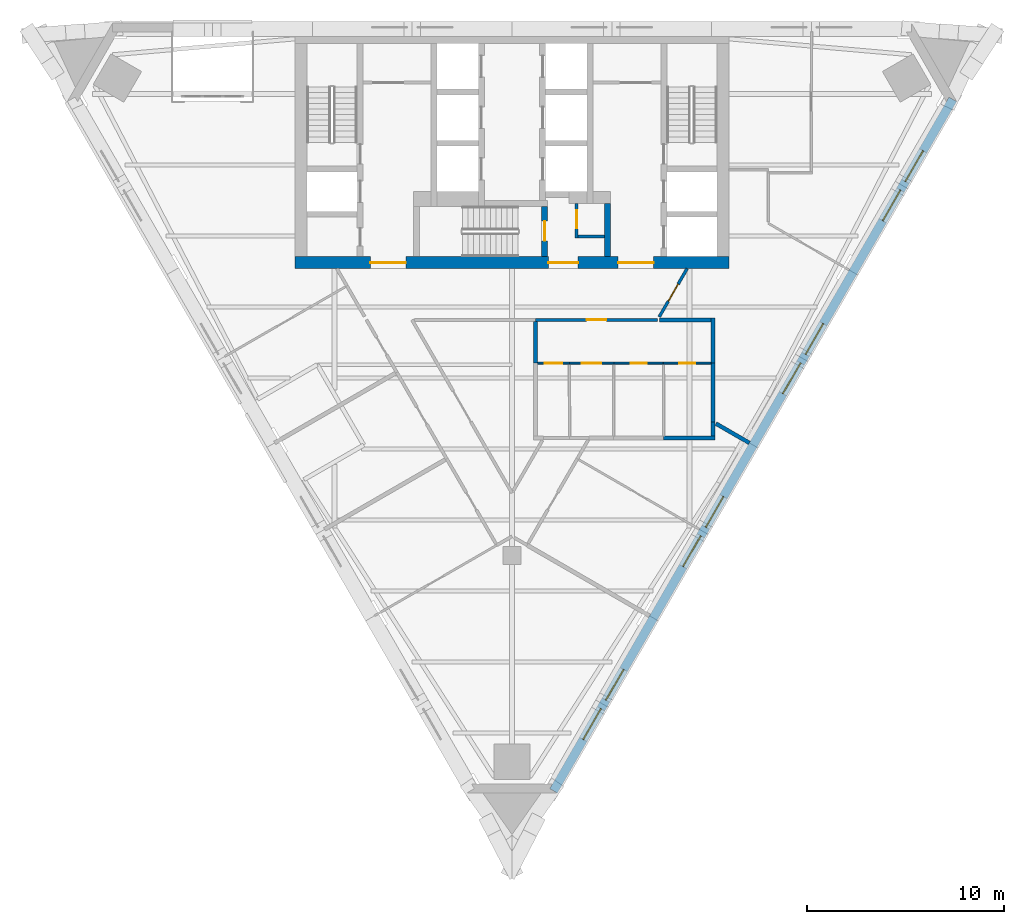
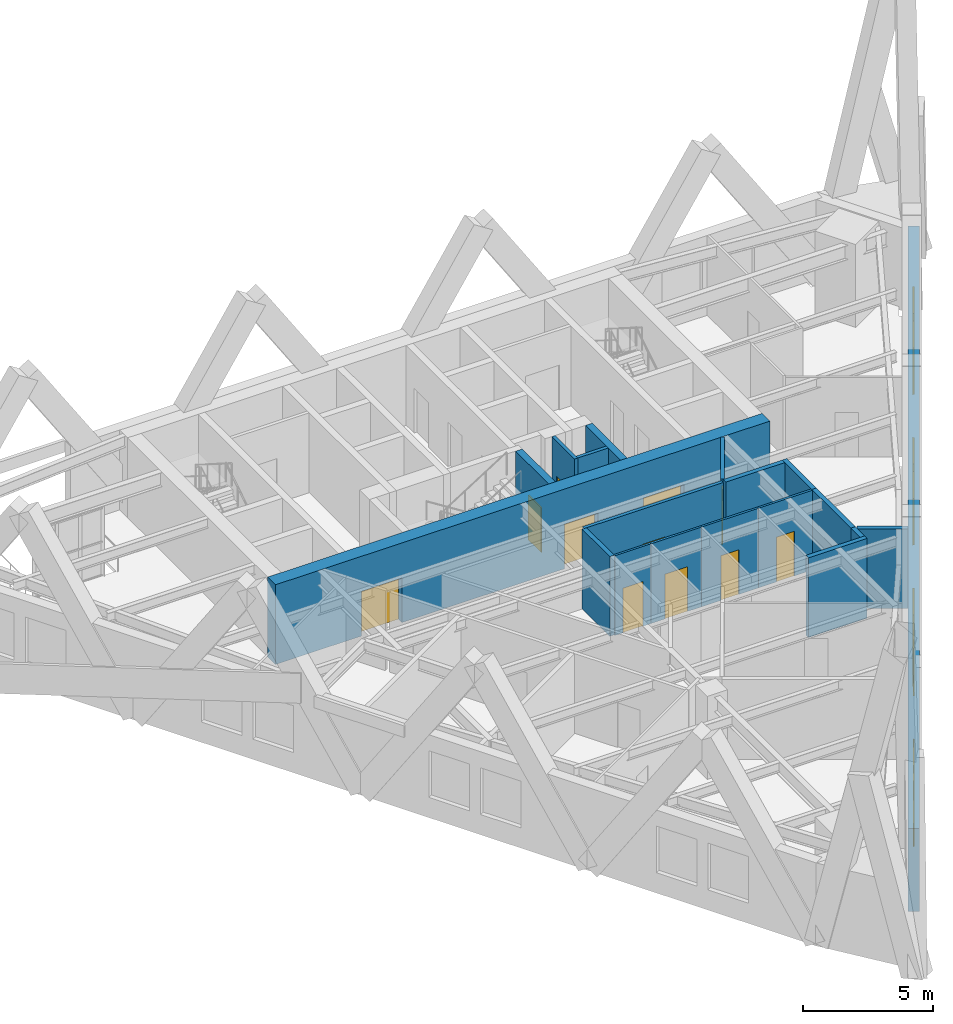
# One storey, part 5 of 9: 19 walls, 11 doors, 8 windows, 19 openings.
"""IFC4 building model written with IfcOpenShell, lengths in metres."""

from ifc_helpers import new_model, si_unit, direction, frame, frame_2d, origin, place, context, subcontext, project, spatial, polyline, rectangle, outline, extrude, material, layer, layer_set, type_object, element, fill, save


model = new_model("IFC4")

# Units and contexts
model_context = context("Model", 3, precision=1e-05, world=origin(), true_north=direction((0.0, 1.0)))
body_context = subcontext(model_context, "Body", "Model", "MODEL_VIEW")
ifc_project = project(units=[si_unit("LENGTHUNIT", "METRE"), si_unit("AREAUNIT", "SQUARE_METRE"), si_unit("VOLUMEUNIT", "CUBIC_METRE"), si_unit("PLANEANGLEUNIT", "RADIAN"), si_unit("MASSUNIT", "GRAM", prefix="KILO")], contexts=[model_context])

# Site, building, storey
site_placement = place(None, origin())
site = spatial("IfcSite", under=ifc_project, at=site_placement, CompositionType="ELEMENT")
building_placement = place(site_placement, origin())
building = spatial("IfcBuilding", under=site, at=building_placement, Name="Aloe Facet Convention Tower", CompositionType="ELEMENT")
storey_placement = place(building_placement, frame((0.0, 0.0, 144.199951171875)))
storey = spatial("IfcBuildingStorey", under=building, at=storey_placement, Name="L36", CompositionType="ELEMENT", Elevation=144.199951171875)

# Wall, opening, door
ifc_material_1 = material(Name="Concrete blockwork partition", Category="masonry")
ifc_layer_1 = layer(ifc_material_1, 0.14990234375)
ifc_layer_set_1 = layer_set([ifc_layer_1], Name="CR-W-PART150")
wall_type_1 = type_object("IfcWallType", Name="CR-W-PART150", PredefinedType="PARTITIONING", material=ifc_layer_set_1)
wall_1_placement = place(storey_placement, frame((83.27490234375, 125.85009765625, 0.0), z_axis=(0.0, 0.0, 1.0), x_axis=(0.0, -1.0, 0.0)))
wall_1 = element("IfcWall", 1, at=wall_1_placement, inside=storey, type_object=wall_type_1, Name="Core partition L36-022", PredefinedType="PARTITIONING", context=body_context, shape_type="SweptSolid", body=[
    extrude(rectangle(XDim=1.75, YDim=0.14990234375, at=frame_2d((0.875, 0.0))), origin(), (0.0, 0.0, 1.0), 3.75),
])
opening_1_placement = place(wall_1_placement, frame((0.35009765625, 0.0, 0.0)))
opening_1 = element("IfcOpeningElement", 2, at=opening_1_placement, cuts=wall_1, Name="Opening L36-CD12", PredefinedType="OPENING", context=body_context, shape_type="SweptSolid", body=[
    extrude(rectangle(XDim=0.89990234375, YDim=2.10009765625, at=frame_2d((0.449951171875, 1.050048828125))), frame((0.0, 0.0849609375, 0.0), z_axis=(0.0, -1.0, 0.0), x_axis=(1.0, 0.0, 0.0)), (0.0, 0.0, 1.0), 0.169921875),
])
ifc_material_2 = material(Name="Steel fire-resisting door set FD60", Category="steel")
door_type_1 = type_object("IfcDoorType", Name="CR-D-REFUGE-900-FD60-SRIGHT", OperationType="SINGLE_SWING_RIGHT", PredefinedType="DOOR", material=ifc_material_2)
door_1_placement = place(opening_1_placement, origin())
door_1 = element("IfcDoor", 3, at=door_1_placement, inside=storey, type_object=door_type_1, Name="Core door L36-CD12", OperationType="SINGLE_SWING_RIGHT", OverallHeight=2.10009765625, OverallWidth=0.89990234375, PredefinedType="DOOR", context=body_context, shape_type="SweptSolid", body=[
    extrude(rectangle(XDim=0.89990234375, YDim=2.10009765625, at=frame_2d((0.449951171875, 1.050048828125))), frame((0.0, 0.02490234375, 0.0), z_axis=(0.0, -1.0, 0.0), x_axis=(1.0, 0.0, 0.0)), (0.0, 0.0, 1.0), 0.050048828125),
])
fill(opening_1, door_1)

# Wall
wall_2_placement = place(storey_placement, frame((83.35009765625, 124.175048828125, 0.0), z_axis=(0.0, 0.0, 1.0), x_axis=(1.0, 0.0, 0.0)))
element("IfcWall", 4, at=wall_2_placement, inside=storey, type_object=wall_type_1, Name="Core partition L36-023", PredefinedType="PARTITIONING", context=body_context, shape_type="SweptSolid", body=[
    extrude(rectangle(XDim=1.349853515625, YDim=0.14990234375, at=frame_2d((0.6748046875, 0.0))), origin(), (0.0, 0.0, 1.0), 3.75),
])

# Wall, opening, door
ifc_material_3 = material(Name="Concrete C60/75", Category="concrete")
ifc_layer_2 = layer(ifc_material_3, 0.300048828125)
ifc_layer_set_2 = layer_set([ifc_layer_2], Name="CR-W-RC300-C6075")
wall_type_2 = type_object("IfcWallType", Name="CR-W-RC300-C6075", PredefinedType="SOLIDWALL", material=ifc_layer_set_2)
wall_3_placement = place(storey_placement, frame((81.64990234375, 125.699951171875, 0.0), z_axis=(0.0, 0.0, 1.0), x_axis=(0.0, -1.0, 0.0)))
wall_3 = element("IfcWall", 5, at=wall_3_placement, inside=storey, type_object=wall_type_2, Name="Core wall L36-017", PredefinedType="SOLIDWALL", context=body_context, shape_type="SweptSolid", body=[
    extrude(rectangle(XDim=2.550048828125, YDim=0.300048828125, at=frame_2d((1.27490234375, 0.0))), origin(), (0.0, 0.0, 1.0), 3.75),
])
opening_2_placement = place(wall_3_placement, frame((0.75, 0.0, 0.0)))
opening_2 = element("IfcOpeningElement", 6, at=opening_2_placement, cuts=wall_3, Name="Opening L36-CD18", PredefinedType="OPENING", context=body_context, shape_type="SweptSolid", body=[
    extrude(rectangle(XDim=1.0, YDim=2.10009765625, at=frame_2d((0.5, 1.050048828125))), frame((0.0, 0.16015625, 0.0), z_axis=(0.0, -1.0, 0.0), x_axis=(1.0, 0.0, 0.0)), (0.0, 0.0, 1.0), 0.320068359375),
])
ifc_material_4 = material(Name="Steel fire-resisting door set FD120", Category="steel")
door_type_2 = type_object("IfcDoorType", Name="CR-D-STAIR-1000-FD120-SLEFT", OperationType="SINGLE_SWING_LEFT", PredefinedType="DOOR", material=ifc_material_4)
door_2_placement = place(opening_2_placement, origin())
door_2 = element("IfcDoor", 7, at=door_2_placement, inside=storey, type_object=door_type_2, Name="Core door L36-CD18", OperationType="SINGLE_SWING_LEFT", OverallHeight=2.10009765625, OverallWidth=1.0, PredefinedType="DOOR", context=body_context, shape_type="SweptSolid", body=[
    extrude(rectangle(XDim=1.0, YDim=2.10009765625, at=frame_2d((0.5, 1.050048828125))), frame((0.0, 0.02490234375, 0.0), z_axis=(0.0, -1.0, 0.0), x_axis=(1.0, 0.0, 0.0)), (0.0, 0.0, 1.0), 0.050048828125),
])
fill(opening_2, door_2)

# Wall
wall_4_placement = place(storey_placement, frame((84.85009765625, 125.85009765625, 0.0), z_axis=(0.0, 0.0, 1.0), x_axis=(0.0, -1.0, 0.0)))
element("IfcWall", 8, at=wall_4_placement, inside=storey, type_object=wall_type_2, Name="Core wall L36-027", PredefinedType="SOLIDWALL", context=body_context, shape_type="SweptSolid", body=[
    extrude(rectangle(XDim=2.7001953125, YDim=0.300048828125, at=frame_2d((1.35009765625, 0.0))), origin(), (0.0, 0.0, 1.0), 3.75),
])

# Wall, openings, doors
ifc_material_5 = material(Name="Concrete C60/75", Category="concrete")
ifc_layer_3 = layer(ifc_material_5, 0.60009765625)
ifc_layer_set_3 = layer_set([ifc_layer_3], Name="CR-W-RC600-C6075")
wall_type_3 = type_object("IfcWallType", Name="CR-W-RC600-C6075", PredefinedType="SOLIDWALL", material=ifc_layer_set_3)
wall_5_placement = place(storey_placement, frame((69.0, 122.85009765625, 0.0), z_axis=(0.0, 0.0, 1.0), x_axis=(1.0, 0.0, 0.0)))
wall_5 = element("IfcWall", 9, at=wall_5_placement, inside=storey, type_object=wall_type_3, Name="Core wall L36-003", PredefinedType="SOLIDWALL", context=body_context, shape_type="SweptSolid", body=[
    extrude(rectangle(XDim=22.0, YDim=0.60009765625, at=frame_2d((11.0, 0.0))), origin(), (0.0, 0.0, 1.0), 3.75),
])
opening_3_placement = place(wall_5_placement, frame((16.375, 0.0, 0.0)))
opening_3 = element("IfcOpeningElement", 10, at=opening_3_placement, cuts=wall_5, Name="Opening L36-CD09", PredefinedType="OPENING", context=body_context, shape_type="SweptSolid", body=[
    extrude(rectangle(XDim=1.800048828125, YDim=2.10009765625, at=frame_2d((0.89990234375, 1.050048828125))), frame((0.0, 0.31005859375, 0.0), z_axis=(0.0, -1.0, 0.0), x_axis=(1.0, 0.0, 0.0)), (0.0, 0.0, 1.0), 0.6201171875),
])
opening_4_placement = place(wall_5_placement, frame((3.824951171875, 0.0, 0.0)))
opening_4 = element("IfcOpeningElement", 11, at=opening_4_placement, cuts=wall_5, Name="Opening L36-CD10", PredefinedType="OPENING", context=body_context, shape_type="SweptSolid", body=[
    extrude(rectangle(XDim=1.800048828125, YDim=2.10009765625, at=frame_2d((0.89990234375, 1.050048828125))), frame((0.0, 0.31005859375, 0.0), z_axis=(0.0, -1.0, 0.0), x_axis=(1.0, 0.0, 0.0)), (0.0, 0.0, 1.0), 0.6201171875),
])
opening_5_placement = place(wall_5_placement, frame((12.85009765625, 0.0, 0.0)))
opening_5 = element("IfcOpeningElement", 12, at=opening_5_placement, cuts=wall_5, Name="Opening L36-CD11", PredefinedType="OPENING", context=body_context, shape_type="SweptSolid", body=[
    extrude(rectangle(XDim=1.5, YDim=2.10009765625, at=frame_2d((0.75, 1.050048828125))), frame((0.0, 0.31005859375, 0.0), z_axis=(0.0, -1.0, 0.0), x_axis=(1.0, 0.0, 0.0)), (0.0, 0.0, 1.0), 0.6201171875),
])
ifc_material_6 = material(Name="Steel fire-resisting door set FD60", Category="steel")
door_type_3 = type_object("IfcDoorType", Name="CR-D-EXIT-1500-FD60-DD", OperationType="DOUBLE_DOOR_DOUBLE_SWING", PredefinedType="DOOR", material=ifc_material_6)
door_3_placement = place(opening_5_placement, origin())
door_3 = element("IfcDoor", 13, at=door_3_placement, inside=storey, type_object=door_type_3, Name="Core door L36-CD11", OperationType="DOUBLE_DOOR_DOUBLE_SWING", OverallHeight=2.10009765625, OverallWidth=1.5, PredefinedType="DOOR", context=body_context, shape_type="SweptSolid", body=[
    extrude(rectangle(XDim=1.5, YDim=2.10009765625, at=frame_2d((0.75, 1.050048828125))), frame((0.0, 0.02490234375, 0.0), z_axis=(0.0, -1.0, 0.0), x_axis=(1.0, 0.0, 0.0)), (0.0, 0.0, 1.0), 0.050048828125),
])
fill(opening_5, door_3)
ifc_material_7 = material(Name="Steel fire-resisting door set FD120", Category="steel")
door_type_4 = type_object("IfcDoorType", Name="CR-D-EXIT-1800-FD120-DD", OperationType="DOUBLE_DOOR_DOUBLE_SWING", PredefinedType="DOOR", material=ifc_material_7)
door_4_placement = place(opening_3_placement, origin())
door_4 = element("IfcDoor", 14, at=door_4_placement, inside=storey, type_object=door_type_4, Name="Core door L36-CD09", OperationType="DOUBLE_DOOR_DOUBLE_SWING", OverallHeight=2.10009765625, OverallWidth=1.800048828125, PredefinedType="DOOR", context=body_context, shape_type="SweptSolid", body=[
    extrude(rectangle(XDim=1.800048828125, YDim=2.10009765625, at=frame_2d((0.89990234375, 1.050048828125))), frame((0.0, 0.02490234375, 0.0), z_axis=(0.0, -1.0, 0.0), x_axis=(1.0, 0.0, 0.0)), (0.0, 0.0, 1.0), 0.050048828125),
])
fill(opening_3, door_4)
door_5_placement = place(opening_4_placement, origin())
door_5 = element("IfcDoor", 15, at=door_5_placement, inside=storey, type_object=door_type_4, Name="Core door L36-CD10", OperationType="DOUBLE_DOOR_DOUBLE_SWING", OverallHeight=2.10009765625, OverallWidth=1.800048828125, PredefinedType="DOOR", context=body_context, shape_type="SweptSolid", body=[
    extrude(rectangle(XDim=1.800048828125, YDim=2.10009765625, at=frame_2d((0.89990234375, 1.050048828125))), frame((0.0, 0.02490234375, 0.0), z_axis=(0.0, -1.0, 0.0), x_axis=(1.0, 0.0, 0.0)), (0.0, 0.0, 1.0), 0.050048828125),
])
fill(opening_4, door_5)

# Wall, openings, windows
ifc_material_8 = material(Name="Precast concrete C40/50", Category="concrete")
ifc_layer_4 = layer(ifc_material_8, 0.449951171875)
ifc_layer_set_4 = layer_set([ifc_layer_4], Name="EV-WALL-STONE")
wall_type_4 = type_object("IfcWallType", Name="EV-WALL-STONE", PredefinedType="SOLIDWALL", material=ifc_layer_set_4)
wall_6_placement = place(storey_placement, frame((82.105224609375, 96.066650390625, -0.14990234375), z_axis=(0.0, 0.0, 1.0), x_axis=(0.499997369791, 0.866026922331, 0.0)))
wall_6 = element("IfcWall", 16, at=wall_6_placement, inside=storey, type_object=wall_type_4, Name="EW-L36-E01", PredefinedType="SOLIDWALL", context=body_context, shape_type="SweptSolid", body=[
    extrude(outline(polyline([(40.486083984375, 0.0), (40.486083984375, 3.89990234375), (0.0, 3.89990234375), (0.0, 0.0), (40.486083984375, 0.0)])), frame((0.0, 0.22509765625, 0.0), z_axis=(0.0, -1.0, 0.0), x_axis=(1.0, 0.0, 0.0)), (0.0, 0.0, 1.0), 0.449951171875),
])
opening_6_placement = place(wall_6_placement, frame((3.0107421875, 0.0, 0.949951171875)))
opening_6 = element("IfcOpeningElement", 17, at=opening_6_placement, cuts=wall_6, Name="Opening W-L36-E01", PredefinedType="OPENING", context=body_context, shape_type="SweptSolid", body=[
    extrude(rectangle(XDim=1.800048828125, YDim=2.199951171875, at=frame_2d((0.89990234375, 1.10009765625))), frame((0.0, 0.23486328125, 0.0), z_axis=(0.0, -1.0, 0.0), x_axis=(1.0, 0.0, 0.0)), (0.0, 0.0, 1.0), 0.469970703125),
])
opening_7_placement = place(wall_6_placement, frame((5.310791015625, 0.0, 0.949951171875)))
opening_7 = element("IfcOpeningElement", 18, at=opening_7_placement, cuts=wall_6, Name="Opening W-L36-E02", PredefinedType="OPENING", context=body_context, shape_type="SweptSolid", body=[
    extrude(rectangle(XDim=1.800048828125, YDim=2.199951171875, at=frame_2d((0.89990234375, 1.10009765625))), frame((0.0, 0.23486328125, 0.0), z_axis=(0.0, -1.0, 0.0), x_axis=(1.0, 0.0, 0.0)), (0.0, 0.0, 1.0), 0.469970703125),
])
opening_8_placement = place(wall_6_placement, frame((13.13232421875, 0.0, 0.949951171875)))
opening_8 = element("IfcOpeningElement", 19, at=opening_8_placement, cuts=wall_6, Name="Opening W-L36-E03", PredefinedType="OPENING", context=body_context, shape_type="SweptSolid", body=[
    extrude(rectangle(XDim=1.800048828125, YDim=2.199951171875, at=frame_2d((0.89990234375, 1.10009765625))), frame((0.0, 0.23486328125, 0.0), z_axis=(0.0, -1.0, 0.0), x_axis=(1.0, 0.0, 0.0)), (0.0, 0.0, 1.0), 0.469970703125),
])
opening_9_placement = place(wall_6_placement, frame((15.432373046875, 0.0, 0.949951171875)))
opening_9 = element("IfcOpeningElement", 20, at=opening_9_placement, cuts=wall_6, Name="Opening W-L36-E04", PredefinedType="OPENING", context=body_context, shape_type="SweptSolid", body=[
    extrude(rectangle(XDim=1.800048828125, YDim=2.199951171875, at=frame_2d((0.89990234375, 1.10009765625))), frame((0.0, 0.23486328125, 0.0), z_axis=(0.0, -1.0, 0.0), x_axis=(1.0, 0.0, 0.0)), (0.0, 0.0, 1.0), 0.469970703125),
])
opening_10_placement = place(wall_6_placement, frame((23.25390625, 0.0, 0.949951171875)))
opening_10 = element("IfcOpeningElement", 21, at=opening_10_placement, cuts=wall_6, Name="Opening W-L36-E05", PredefinedType="OPENING", context=body_context, shape_type="SweptSolid", body=[
    extrude(rectangle(XDim=1.800048828125, YDim=2.199951171875, at=frame_2d((0.89990234375, 1.10009765625))), frame((0.0, 0.23486328125, 0.0), z_axis=(0.0, -1.0, 0.0), x_axis=(1.0, 0.0, 0.0)), (0.0, 0.0, 1.0), 0.469970703125),
])
opening_11_placement = place(wall_6_placement, frame((25.553955078125, 0.0, 0.949951171875)))
opening_11 = element("IfcOpeningElement", 22, at=opening_11_placement, cuts=wall_6, Name="Opening W-L36-E06", PredefinedType="OPENING", context=body_context, shape_type="SweptSolid", body=[
    extrude(rectangle(XDim=1.800048828125, YDim=2.199951171875, at=frame_2d((0.89990234375, 1.10009765625))), frame((0.0, 0.23486328125, 0.0), z_axis=(0.0, -1.0, 0.0), x_axis=(1.0, 0.0, 0.0)), (0.0, 0.0, 1.0), 0.469970703125),
])
opening_12_placement = place(wall_6_placement, frame((33.37548828125, 0.0, 0.949951171875)))
opening_12 = element("IfcOpeningElement", 23, at=opening_12_placement, cuts=wall_6, Name="Opening W-L36-E07", PredefinedType="OPENING", context=body_context, shape_type="SweptSolid", body=[
    extrude(rectangle(XDim=1.800048828125, YDim=2.199951171875, at=frame_2d((0.89990234375, 1.10009765625))), frame((0.0, 0.23486328125, 0.0), z_axis=(0.0, -1.0, 0.0), x_axis=(1.0, 0.0, 0.0)), (0.0, 0.0, 1.0), 0.469970703125),
])
opening_13_placement = place(wall_6_placement, frame((35.67529296875, 0.0, 0.949951171875)))
opening_13 = element("IfcOpeningElement", 24, at=opening_13_placement, cuts=wall_6, Name="Opening W-L36-E08", PredefinedType="OPENING", context=body_context, shape_type="SweptSolid", body=[
    extrude(rectangle(XDim=1.800048828125, YDim=2.199951171875, at=frame_2d((0.89990234375, 1.10009765625))), frame((0.0, 0.23486328125, 0.0), z_axis=(0.0, -1.0, 0.0), x_axis=(1.0, 0.0, 0.0)), (0.0, 0.0, 1.0), 0.469970703125),
])
ifc_material_9 = material(Name="Aluminium frame, clear double glazing", Category="aluminium")
window_type = type_object("IfcWindowType", Name="EV-WIN-O18", PartitioningType="SINGLE_PANEL", PredefinedType="WINDOW", material=ifc_material_9)
window_1_placement = place(opening_6_placement, origin())
window_1 = element("IfcWindow", 25, at=window_1_placement, inside=storey, type_object=window_type, Name="W-L36-E01", OverallHeight=2.199951171875, OverallWidth=1.800048828125, PartitioningType="SINGLE_PANEL", PredefinedType="WINDOW", context=body_context, shape_type="SweptSolid", body=[
    extrude(rectangle(XDim=1.800048828125, YDim=2.199951171875, at=frame_2d((0.89990234375, 1.10009765625))), frame((0.0, 0.030029296875, 0.0), z_axis=(0.0, -1.0, 0.0), x_axis=(1.0, 0.0, 0.0)), (0.0, 0.0, 1.0), 0.06005859375),
])
fill(opening_6, window_1)
window_2_placement = place(opening_7_placement, origin())
window_2 = element("IfcWindow", 26, at=window_2_placement, inside=storey, type_object=window_type, Name="W-L36-E02", OverallHeight=2.199951171875, OverallWidth=1.800048828125, PartitioningType="SINGLE_PANEL", PredefinedType="WINDOW", context=body_context, shape_type="SweptSolid", body=[
    extrude(rectangle(XDim=1.800048828125, YDim=2.199951171875, at=frame_2d((0.89990234375, 1.10009765625))), frame((0.0, 0.030029296875, 0.0), z_axis=(0.0, -1.0, 0.0), x_axis=(1.0, 0.0, 0.0)), (0.0, 0.0, 1.0), 0.06005859375),
])
fill(opening_7, window_2)
window_3_placement = place(opening_8_placement, origin())
window_3 = element("IfcWindow", 27, at=window_3_placement, inside=storey, type_object=window_type, Name="W-L36-E03", OverallHeight=2.199951171875, OverallWidth=1.800048828125, PartitioningType="SINGLE_PANEL", PredefinedType="WINDOW", context=body_context, shape_type="SweptSolid", body=[
    extrude(rectangle(XDim=1.800048828125, YDim=2.199951171875, at=frame_2d((0.89990234375, 1.10009765625))), frame((0.0, 0.030029296875, 0.0), z_axis=(0.0, -1.0, 0.0), x_axis=(1.0, 0.0, 0.0)), (0.0, 0.0, 1.0), 0.06005859375),
])
fill(opening_8, window_3)
window_4_placement = place(opening_9_placement, origin())
window_4 = element("IfcWindow", 28, at=window_4_placement, inside=storey, type_object=window_type, Name="W-L36-E04", OverallHeight=2.199951171875, OverallWidth=1.800048828125, PartitioningType="SINGLE_PANEL", PredefinedType="WINDOW", context=body_context, shape_type="SweptSolid", body=[
    extrude(rectangle(XDim=1.800048828125, YDim=2.199951171875, at=frame_2d((0.89990234375, 1.10009765625))), frame((0.0, 0.030029296875, 0.0), z_axis=(0.0, -1.0, 0.0), x_axis=(1.0, 0.0, 0.0)), (0.0, 0.0, 1.0), 0.06005859375),
])
fill(opening_9, window_4)
window_5_placement = place(opening_10_placement, origin())
window_5 = element("IfcWindow", 29, at=window_5_placement, inside=storey, type_object=window_type, Name="W-L36-E05", OverallHeight=2.199951171875, OverallWidth=1.800048828125, PartitioningType="SINGLE_PANEL", PredefinedType="WINDOW", context=body_context, shape_type="SweptSolid", body=[
    extrude(rectangle(XDim=1.800048828125, YDim=2.199951171875, at=frame_2d((0.89990234375, 1.10009765625))), frame((0.0, 0.030029296875, 0.0), z_axis=(0.0, -1.0, 0.0), x_axis=(1.0, 0.0, 0.0)), (0.0, 0.0, 1.0), 0.06005859375),
])
fill(opening_10, window_5)
window_6_placement = place(opening_11_placement, origin())
window_6 = element("IfcWindow", 30, at=window_6_placement, inside=storey, type_object=window_type, Name="W-L36-E06", OverallHeight=2.199951171875, OverallWidth=1.800048828125, PartitioningType="SINGLE_PANEL", PredefinedType="WINDOW", context=body_context, shape_type="SweptSolid", body=[
    extrude(rectangle(XDim=1.800048828125, YDim=2.199951171875, at=frame_2d((0.89990234375, 1.10009765625))), frame((0.0, 0.030029296875, 0.0), z_axis=(0.0, -1.0, 0.0), x_axis=(1.0, 0.0, 0.0)), (0.0, 0.0, 1.0), 0.06005859375),
])
fill(opening_11, window_6)
window_7_placement = place(opening_12_placement, origin())
window_7 = element("IfcWindow", 31, at=window_7_placement, inside=storey, type_object=window_type, Name="W-L36-E07", OverallHeight=2.199951171875, OverallWidth=1.800048828125, PartitioningType="SINGLE_PANEL", PredefinedType="WINDOW", context=body_context, shape_type="SweptSolid", body=[
    extrude(rectangle(XDim=1.800048828125, YDim=2.199951171875, at=frame_2d((0.89990234375, 1.10009765625))), frame((0.0, 0.030029296875, 0.0), z_axis=(0.0, -1.0, 0.0), x_axis=(1.0, 0.0, 0.0)), (0.0, 0.0, 1.0), 0.06005859375),
])
fill(opening_12, window_7)
window_8_placement = place(opening_13_placement, origin())
window_8 = element("IfcWindow", 32, at=window_8_placement, inside=storey, type_object=window_type, Name="W-L36-E08", OverallHeight=2.199951171875, OverallWidth=1.800048828125, PartitioningType="SINGLE_PANEL", PredefinedType="WINDOW", context=body_context, shape_type="SweptSolid", body=[
    extrude(rectangle(XDim=1.800048828125, YDim=2.199951171875, at=frame_2d((0.89990234375, 1.10009765625))), frame((0.0, 0.030029296875, 0.0), z_axis=(0.0, -1.0, 0.0), x_axis=(1.0, 0.0, 0.0)), (0.0, 0.0, 1.0), 0.06005859375),
])
fill(opening_13, window_8)

# Wall, opening, door
ifc_material_10 = material(Name="Gypsum board partition on steel studs", Category="steel")
ifc_layer_5 = layer(ifc_material_10, 0.14990234375)
ifc_layer_set_5 = layer_set([ifc_layer_5], Name="IN-W-CORR")
wall_type_5 = type_object("IfcWallType", Name="IN-W-CORR", PredefinedType="PARTITIONING", material=ifc_layer_set_5)
wall_7_placement = place(storey_placement, frame((81.199951171875, 119.949951171875, 0.0), z_axis=(0.0, 0.0, 1.0), x_axis=(1.0, 0.0, 0.0)))
wall_7 = element("IfcWall", 33, at=wall_7_placement, inside=storey, type_object=wall_type_5, Name="Partition L36-W036", PredefinedType="PARTITIONING", context=body_context, shape_type="SweptSolid", body=[
    extrude(rectangle(XDim=6.17822265625, YDim=0.14990234375, at=frame_2d((3.089111328125, 0.0))), origin(), (0.0, 0.0, 1.0), 3.75),
])
opening_14_placement = place(wall_7_placement, frame((2.589111328125, 0.0, 0.0)))
opening_14 = element("IfcOpeningElement", 34, at=opening_14_placement, cuts=wall_7, Name="Opening L36-001", PredefinedType="OPENING", context=body_context, shape_type="SweptSolid", body=[
    extrude(rectangle(XDim=1.0, YDim=2.10009765625, at=frame_2d((0.5, 1.050048828125))), frame((0.0, 0.0849609375, 0.0), z_axis=(0.0, -1.0, 0.0), x_axis=(1.0, 0.0, 0.0)), (0.0, 0.0, 1.0), 0.169921875),
])
ifc_material_11 = material(Name="Timber door FD30S with vision panel", Category="wood")
door_type_5 = type_object("IfcDoorType", Name="IN-OFF-D-ENTRY", OperationType="SINGLE_SWING_LEFT", PredefinedType="DOOR", material=ifc_material_11)
door_6_placement = place(opening_14_placement, origin())
door_6 = element("IfcDoor", 35, at=door_6_placement, inside=storey, type_object=door_type_5, Name="Door L36-001", OperationType="SINGLE_SWING_LEFT", OverallHeight=2.10009765625, OverallWidth=1.0, PredefinedType="DOOR", context=body_context, shape_type="SweptSolid", body=[
    extrude(rectangle(XDim=1.0, YDim=2.10009765625, at=frame_2d((0.5, 1.050048828125))), frame((0.0, 0.02490234375, 0.0), z_axis=(0.0, -1.0, 0.0), x_axis=(1.0, 0.0, 0.0)), (0.0, 0.0, 1.0), 0.050048828125),
])
fill(opening_14, door_6)

wall_8_placement = place(storey_placement, frame((87.465087890625, 120.100341796875, 0.0), z_axis=(0.0, 0.0, 1.0), x_axis=(0.499991416419, 0.86603035946, 0.0)))
wall_8 = element("IfcWall", 36, at=wall_8_placement, inside=storey, type_object=wall_type_5, Name="Partition L36-W041", PredefinedType="PARTITIONING", context=body_context, shape_type="SweptSolid", body=[
    extrude(rectangle(XDim=2.82861328125, YDim=0.14990234375, at=frame_2d((1.414306640625, 0.0))), origin(), (0.0, 0.0, 1.0), 3.75),
])
opening_15_placement = place(wall_8_placement, frame((0.914306640625, 0.0, 0.0)))
opening_15 = element("IfcOpeningElement", 37, at=opening_15_placement, cuts=wall_8, Name="Opening L36-013", PredefinedType="OPENING", context=body_context, shape_type="SweptSolid", body=[
    extrude(rectangle(XDim=1.0, YDim=2.10009765625, at=frame_2d((0.5, 1.050048828125))), frame((0.0, 0.0849609375, 0.0), z_axis=(0.0, -1.0, 0.0), x_axis=(1.0, 0.0, 0.0)), (0.0, 0.0, 1.0), 0.169921875),
])
door_7_placement = place(opening_15_placement, origin())
door_7 = element("IfcDoor", 38, at=door_7_placement, inside=storey, type_object=door_type_5, Name="Door L36-013", OperationType="SINGLE_SWING_LEFT", OverallHeight=2.10009765625, OverallWidth=1.0, PredefinedType="DOOR", context=body_context, shape_type="SweptSolid", body=[
    extrude(rectangle(XDim=1.0, YDim=2.10009765625, at=frame_2d((0.5, 1.050048828125))), frame((0.0, 0.02490234375, 0.0), z_axis=(0.0, -1.0, 0.0), x_axis=(1.0, 0.0, 0.0)), (0.0, 0.0, 1.0), 0.050048828125),
])
fill(opening_15, door_7)

ifc_material_12 = material(Name="Gypsum board partition on steel studs", Category="steel")
ifc_layer_6 = layer(ifc_material_12, 0.10009765625)
ifc_layer_set_6 = layer_set([ifc_layer_6], Name="IN-W-PART")
wall_type_6 = type_object("IfcWallType", Name="IN-W-PART", PredefinedType="PARTITIONING", material=ifc_layer_set_6)
wall_9_placement = place(storey_placement, frame((81.300048828125, 117.75, 0.0), z_axis=(0.0, 0.0, 1.0), x_axis=(1.0, 0.0, 0.0)))
wall_9 = element("IfcWall", 39, at=wall_9_placement, inside=storey, type_object=wall_type_6, Name="Partition L36-W026", PredefinedType="PARTITIONING", context=body_context, shape_type="SweptSolid", body=[
    extrude(rectangle(XDim=1.60986328125, YDim=0.10009765625, at=frame_2d((0.804931640625, 0.0))), origin(), (0.0, 0.0, 1.0), 3.75),
])
opening_16_placement = place(wall_9_placement, frame((0.35498046875, 0.0, 0.0)))
opening_16 = element("IfcOpeningElement", 40, at=opening_16_placement, cuts=wall_9, Name="Opening L36-002", PredefinedType="OPENING", context=body_context, shape_type="SweptSolid", body=[
    extrude(rectangle(XDim=0.89990234375, YDim=2.10009765625, at=frame_2d((0.449951171875, 1.050048828125))), frame((0.0, 0.06005859375, 0.0), z_axis=(0.0, -1.0, 0.0), x_axis=(1.0, 0.0, 0.0)), (0.0, 0.0, 1.0), 0.1201171875),
])
ifc_material_13 = material(Name="Timber door", Category="wood")
door_type_6 = type_object("IfcDoorType", Name="IN-OFF-D-ROOM", OperationType="SINGLE_SWING_LEFT", PredefinedType="DOOR", material=ifc_material_13)
door_8_placement = place(opening_16_placement, origin())
door_8 = element("IfcDoor", 41, at=door_8_placement, inside=storey, type_object=door_type_6, Name="Door L36-002", OperationType="SINGLE_SWING_LEFT", OverallHeight=2.10009765625, OverallWidth=0.89990234375, PredefinedType="DOOR", context=body_context, shape_type="SweptSolid", body=[
    extrude(rectangle(XDim=0.89990234375, YDim=2.10009765625, at=frame_2d((0.449951171875, 1.050048828125))), frame((0.0, 0.02490234375, 0.0), z_axis=(0.0, -1.0, 0.0), x_axis=(1.0, 0.0, 0.0)), (0.0, 0.0, 1.0), 0.050048828125),
])
fill(opening_16, door_8)

wall_10_placement = place(storey_placement, frame((82.909912109375, 117.75, 0.0), z_axis=(0.0, 0.0, 1.0), x_axis=(1.0, 0.0, 0.0)))
wall_10 = element("IfcWall", 42, at=wall_10_placement, inside=storey, type_object=wall_type_6, Name="Partition L36-W028", PredefinedType="PARTITIONING", context=body_context, shape_type="SweptSolid", body=[
    extrude(rectangle(XDim=2.25, YDim=0.10009765625, at=frame_2d((1.125, 0.0))), origin(), (0.0, 0.0, 1.0), 3.75),
])
opening_17_placement = place(wall_10_placement, frame((0.625, 0.0, 0.0)))
opening_17 = element("IfcOpeningElement", 43, at=opening_17_placement, cuts=wall_10, Name="Opening L36-003", PredefinedType="OPENING", context=body_context, shape_type="SweptSolid", body=[
    extrude(rectangle(XDim=1.0, YDim=2.10009765625, at=frame_2d((0.5, 1.050048828125))), frame((0.0, 0.06005859375, 0.0), z_axis=(0.0, -1.0, 0.0), x_axis=(1.0, 0.0, 0.0)), (0.0, 0.0, 1.0), 0.1201171875),
])
ifc_material_14 = material(Name="Timber door", Category="wood")
door_type_7 = type_object("IfcDoorType", Name="IN-OFF-D-WIDE", OperationType="SINGLE_SWING_LEFT", PredefinedType="DOOR", material=ifc_material_14)
door_9_placement = place(opening_17_placement, origin())
door_9 = element("IfcDoor", 44, at=door_9_placement, inside=storey, type_object=door_type_7, Name="Door L36-003", OperationType="SINGLE_SWING_LEFT", OverallHeight=2.10009765625, OverallWidth=1.0, PredefinedType="DOOR", context=body_context, shape_type="SweptSolid", body=[
    extrude(rectangle(XDim=1.0, YDim=2.10009765625, at=frame_2d((0.5, 1.050048828125))), frame((0.0, 0.02490234375, 0.0), z_axis=(0.0, -1.0, 0.0), x_axis=(1.0, 0.0, 0.0)), (0.0, 0.0, 1.0), 0.050048828125),
])
fill(opening_17, door_9)

wall_11_placement = place(storey_placement, frame((85.159912109375, 117.75, 0.0), z_axis=(0.0, 0.0, 1.0), x_axis=(1.0, 0.0, 0.0)))
wall_11 = element("IfcWall", 45, at=wall_11_placement, inside=storey, type_object=wall_type_6, Name="Partition L36-W030", PredefinedType="PARTITIONING", context=body_context, shape_type="SweptSolid", body=[
    extrude(rectangle(XDim=2.52001953125, YDim=0.10009765625, at=frame_2d((1.260009765625, 0.0))), origin(), (0.0, 0.0, 1.0), 3.75),
])
opening_18_placement = place(wall_11_placement, frame((0.860107421875, 0.0, 0.0)))
opening_18 = element("IfcOpeningElement", 46, at=opening_18_placement, cuts=wall_11, Name="Opening L36-004", PredefinedType="OPENING", context=body_context, shape_type="SweptSolid", body=[
    extrude(rectangle(XDim=0.800048828125, YDim=2.10009765625, at=frame_2d((0.39990234375, 1.050048828125))), frame((0.0, 0.06005859375, 0.0), z_axis=(0.0, -1.0, 0.0), x_axis=(1.0, 0.0, 0.0)), (0.0, 0.0, 1.0), 0.1201171875),
])
ifc_material_15 = material(Name="Timber door", Category="wood")
door_type_8 = type_object("IfcDoorType", Name="IN-OFF-D-WC", OperationType="SINGLE_SWING_LEFT", PredefinedType="DOOR", material=ifc_material_15)
door_10_placement = place(opening_18_placement, origin())
door_10 = element("IfcDoor", 47, at=door_10_placement, inside=storey, type_object=door_type_8, Name="Door L36-004", OperationType="SINGLE_SWING_LEFT", OverallHeight=2.10009765625, OverallWidth=0.800048828125, PredefinedType="DOOR", context=body_context, shape_type="SweptSolid", body=[
    extrude(rectangle(XDim=0.800048828125, YDim=2.10009765625, at=frame_2d((0.39990234375, 1.050048828125))), frame((0.0, 0.02490234375, 0.0), z_axis=(0.0, -1.0, 0.0), x_axis=(1.0, 0.0, 0.0)), (0.0, 0.0, 1.0), 0.050048828125),
])
fill(opening_18, door_10)

wall_12_placement = place(storey_placement, frame((87.679931640625, 117.75, 0.0), z_axis=(0.0, 0.0, 1.0), x_axis=(0.999992261016, 0.003934197335, 0.0)))
wall_12 = element("IfcWall", 48, at=wall_12_placement, inside=storey, type_object=wall_type_6, Name="Partition L36-W031", PredefinedType="PARTITIONING", context=body_context, shape_type="SweptSolid", body=[
    extrude(rectangle(XDim=2.420166015625, YDim=0.10009765625, at=frame_2d((1.2099609375, 0.0))), origin(), (0.0, 0.0, 1.0), 3.75),
])
opening_19_placement = place(wall_12_placement, frame((0.81005859375, 0.0, 0.0)))
opening_19 = element("IfcOpeningElement", 49, at=opening_19_placement, cuts=wall_12, Name="Opening L36-005", PredefinedType="OPENING", context=body_context, shape_type="SweptSolid", body=[
    extrude(rectangle(XDim=0.800048828125, YDim=2.10009765625, at=frame_2d((0.39990234375, 1.050048828125))), frame((0.0, 0.06005859375, 0.0), z_axis=(0.0, -1.0, 0.0), x_axis=(1.0, 0.0, 0.0)), (0.0, 0.0, 1.0), 0.1201171875),
])
door_11_placement = place(opening_19_placement, origin())
door_11 = element("IfcDoor", 50, at=door_11_placement, inside=storey, type_object=door_type_8, Name="Door L36-005", OperationType="SINGLE_SWING_LEFT", OverallHeight=2.10009765625, OverallWidth=0.800048828125, PredefinedType="DOOR", context=body_context, shape_type="SweptSolid", body=[
    extrude(rectangle(XDim=0.800048828125, YDim=2.10009765625, at=frame_2d((0.39990234375, 1.050048828125))), frame((0.0, 0.02490234375, 0.0), z_axis=(0.0, -1.0, 0.0), x_axis=(1.0, 0.0, 0.0)), (0.0, 0.0, 1.0), 0.050048828125),
])
fill(opening_19, door_11)

# Walls
ifc_material_16 = material(Name="Gypsum board partition on steel studs", Category="steel")
ifc_layer_7 = layer(ifc_material_16, 0.199951171875)
ifc_layer_set_7 = layer_set([ifc_layer_7], Name="IN-W-PARTY")
wall_type_7 = type_object("IfcWallType", Name="IN-W-PARTY", PredefinedType="PARTITIONING", material=ifc_layer_set_7)
wall_13_placement = place(storey_placement, frame((90.338623046875, 114.687744140625, 0.0), z_axis=(0.0, 0.0, 1.0), x_axis=(0.866021300503, -0.500007107024, 0.0)))
element("IfcWall", 51, at=wall_13_placement, inside=storey, type_object=wall_type_7, Name="Partition L36-W012", PredefinedType="PARTITIONING", context=body_context, shape_type="SweptSolid", body=[
    extrude(rectangle(XDim=1.955078125, YDim=0.199951171875, at=frame_2d((0.9775390625, 0.0))), origin(), (0.0, 0.0, 1.0), 3.75),
])
wall_14_placement = place(storey_placement, frame((87.68994140625, 113.949951171875, 0.0), z_axis=(0.0, 0.0, 1.0), x_axis=(1.0, 0.0, 0.0)))
element("IfcWall", 52, at=wall_14_placement, inside=storey, type_object=wall_type_7, Name="Partition L36-W020", PredefinedType="PARTITIONING", context=body_context, shape_type="SweptSolid", body=[
    extrude(rectangle(XDim=2.610107421875, YDim=0.199951171875, at=frame_2d((1.30517578125, 0.0))), origin(), (0.0, 0.0, 1.0), 3.75),
])
wall_15_placement = place(storey_placement, frame((90.199951171875, 114.050048828125, 0.0), z_axis=(0.0, 0.0, 1.0), x_axis=(0.0, 1.0, 0.0)))
element("IfcWall", 53, at=wall_15_placement, inside=storey, type_object=wall_type_7, Name="Partition L36-W021", PredefinedType="PARTITIONING", context=body_context, shape_type="SweptSolid", body=[
    extrude(rectangle(XDim=0.7177734375, YDim=0.199951171875, at=frame_2d((0.35888671875, 0.0))), origin(), (0.0, 0.0, 1.0), 3.75),
])
wall_16_placement = place(storey_placement, frame((90.199951171875, 114.767822265625, 0.0), z_axis=(0.0, 0.0, 1.0), x_axis=(0.0, 1.0, 0.0)))
element("IfcWall", 54, at=wall_16_placement, inside=storey, type_object=wall_type_7, Name="Partition L36-W022", PredefinedType="PARTITIONING", context=body_context, shape_type="SweptSolid", body=[
    extrude(rectangle(XDim=2.9921875, YDim=0.199951171875, at=frame_2d((1.49609375, 0.0))), origin(), (0.0, 0.0, 1.0), 3.75),
])
wall_17_placement = place(storey_placement, frame((90.199951171875, 117.760009765625, 0.0), z_axis=(0.0, 0.0, 1.0), x_axis=(0.0, 1.0, 0.0)))
element("IfcWall", 55, at=wall_17_placement, inside=storey, type_object=wall_type_7, Name="Partition L36-W024", PredefinedType="PARTITIONING", context=body_context, shape_type="SweptSolid", body=[
    extrude(rectangle(XDim=2.2880859375, YDim=0.199951171875, at=frame_2d((1.14404296875, 0.0))), origin(), (0.0, 0.0, 1.0), 3.75),
])
wall_18_placement = place(storey_placement, frame((81.199951171875, 117.75, 0.0), z_axis=(0.0, 0.0, 1.0), x_axis=(0.0, 1.0, 0.0)))
element("IfcWall", 56, at=wall_18_placement, inside=storey, type_object=wall_type_7, Name="Partition L36-W035", PredefinedType="PARTITIONING", context=body_context, shape_type="SweptSolid", body=[
    extrude(rectangle(XDim=2.125, YDim=0.199951171875, at=frame_2d((1.0625, 0.0))), origin(), (0.0, 0.0, 1.0), 3.75),
])
wall_19_placement = place(storey_placement, frame((87.47509765625, 119.949951171875, 0.0), z_axis=(0.0, 0.0, 1.0), x_axis=(0.999999723197, -0.000744047413, 0.0)))
element("IfcWall", 57, at=wall_19_placement, inside=storey, type_object=wall_type_7, Name="Partition L36-W037", PredefinedType="PARTITIONING", context=body_context, shape_type="SweptSolid", body=[
    extrude(rectangle(XDim=2.625, YDim=0.199951171875, at=frame_2d((1.3125, 0.0))), origin(), (0.0, 0.0, 1.0), 3.75),
])

save(model, "model.ifc")
